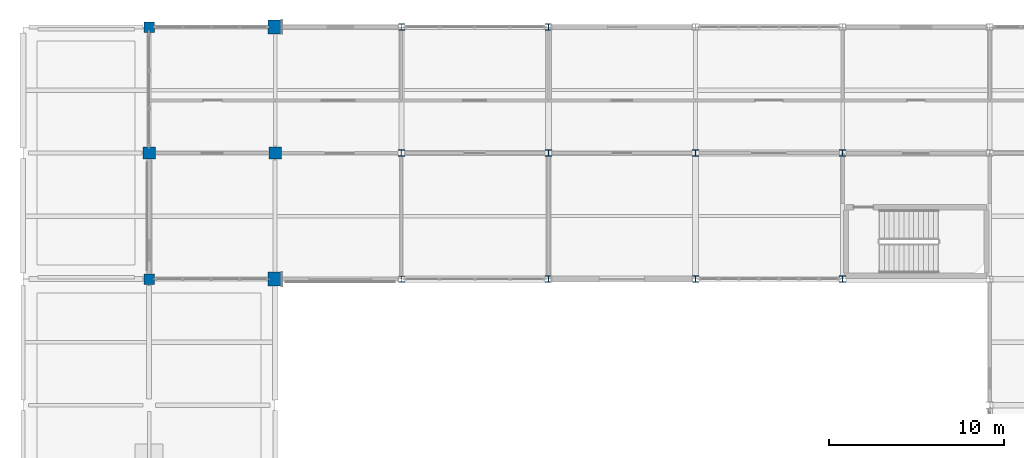
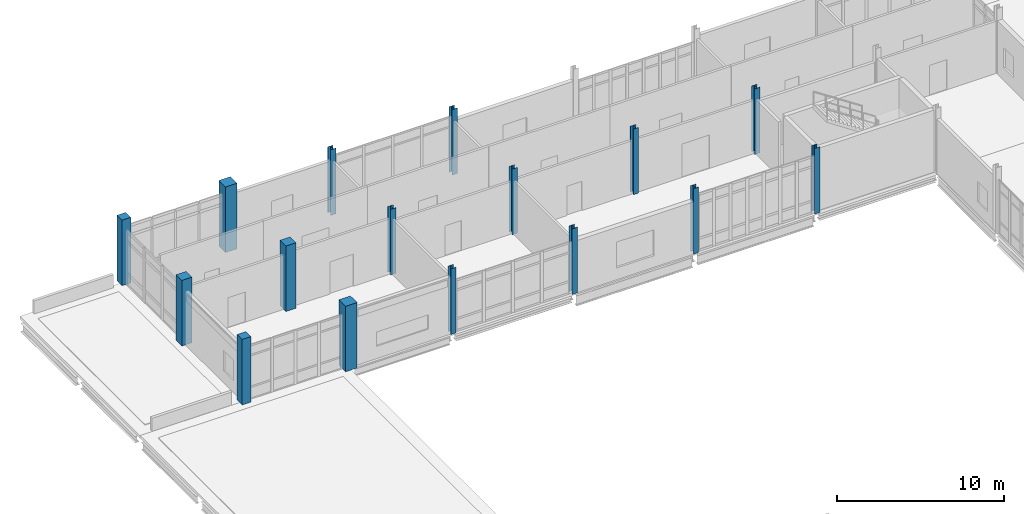
# One storey, part 12 of 186: 16 columns.
"""IFC4 building model written with IfcOpenShell, lengths in metres."""

from ifc_helpers import new_model, si_unit, direction, frame, origin, origin_2d, place, context, subcontext, project, spatial, rectangle, i_section, extrude, material, material_profile, profile_set, type_object, element, save


model = new_model("IFC4")

# Units and contexts
model_context = context("Model", 3, precision=1e-05, world=origin(), true_north=direction((0.0, 1.0)))
body_context = subcontext(model_context, "Body", "Model", "MODEL_VIEW")
ifc_project = project(units=[si_unit("LENGTHUNIT", "METRE"), si_unit("AREAUNIT", "SQUARE_METRE"), si_unit("VOLUMEUNIT", "CUBIC_METRE"), si_unit("PLANEANGLEUNIT", "RADIAN"), si_unit("MASSUNIT", "GRAM", prefix="KILO")], contexts=[model_context])

# Site, building, storey
site_placement = place(None, origin())
site = spatial("IfcSite", under=ifc_project, at=site_placement, CompositionType="ELEMENT")
building_placement = place(site_placement, origin())
building = spatial("IfcBuilding", under=site, at=building_placement, Name="Calvrana Isthmian Art Gallery", CompositionType="ELEMENT")
storey_placement = place(building_placement, frame((0.0, 0.0, 5.39990234375)))
storey = spatial("IfcBuildingStorey", under=building, at=storey_placement, Name="L01", CompositionType="ELEMENT", Elevation=5.39990234375)

# Columns
ifc_material_1 = material(Name="Concrete C40/50", Category="concrete")
ifc_material_profile_1 = material_profile(ifc_material_1, rectangle(XDim=0.60009765625, YDim=0.60009765625, at=origin_2d()), Name="RC600X600")
ifc_profile_set_1 = profile_set([ifc_material_profile_1], Name="Concrete C40/50")
column_type_1 = type_object("IfcColumnType", Name="COL-RC-RC600X600", PredefinedType="COLUMN", material=ifc_profile_set_1)
for number, where, z_axis, x_axis, name in (
    (1, (7.199951171875, 98.39990234375, 0.0), (0.0, 0.0, 1.0), (1.0, 0.0, 0.0), "Column 02/N L01"),
    (2, (7.199951171875, 112.800048828125, 0.0), (0.0, 0.0, 1.0), (1.0, 0.0, 0.0), "Column 02/P L01"),
):
    element("IfcColumn", number, at=place(storey_placement, frame(where, z_axis=z_axis, x_axis=x_axis)), inside=storey, type_object=column_type_1, Name=name, PredefinedType="COLUMN", context=body_context, shape_type="SweptSolid", body=[
        extrude(rectangle(XDim=0.60009765625, YDim=0.60009765625, at=origin_2d()), origin(), (0.0, 0.0, 1.0), 4.800048828125),
    ])
ifc_material_profile_2 = material_profile(ifc_material_1, rectangle(XDim=0.699951171875, YDim=0.699951171875, at=origin_2d()), Name="RC700X700")
ifc_profile_set_2 = profile_set([ifc_material_profile_2], Name="Concrete C40/50")
column_type_2 = type_object("IfcColumnType", Name="COL-RC-RC700X700", PredefinedType="COLUMN", material=ifc_profile_set_2)
for number, where, z_axis, x_axis, name in (
    (3, (7.199951171875, 105.60009765625, 0.0), (0.0, 0.0, 1.0), (1.0, 0.0, 0.0), "Column 02/O L01"),
    (4, (14.39990234375, 105.60009765625, 0.0), (0.0, 0.0, 1.0), (1.0, 0.0, 0.0), "Column 03/O L01"),
):
    element("IfcColumn", number, at=place(storey_placement, frame(where, z_axis=z_axis, x_axis=x_axis)), inside=storey, type_object=column_type_2, Name=name, PredefinedType="COLUMN", context=body_context, shape_type="SweptSolid", body=[
        extrude(rectangle(XDim=0.699951171875, YDim=0.699951171875, at=origin_2d()), origin(), (0.0, 0.0, 1.0), 4.800048828125),
    ])
ifc_material_profile_3 = material_profile(ifc_material_1, rectangle(XDim=0.800048828125, YDim=0.800048828125, at=origin_2d()), Name="RC800X800")
ifc_profile_set_3 = profile_set([ifc_material_profile_3], Name="Concrete C40/50")
column_type_3 = type_object("IfcColumnType", Name="COL-RC-RC800X800", PredefinedType="COLUMN", material=ifc_profile_set_3)
for number, where, z_axis, x_axis, name in (
    (5, (14.39990234375, 98.39990234375, 0.0), (0.0, 0.0, 1.0), (1.0, 0.0, 0.0), "Column 03/N L01"),
    (6, (14.39990234375, 112.800048828125, 0.0), (0.0, 0.0, 1.0), (1.0, 0.0, 0.0), "Column 03/P L01"),
):
    element("IfcColumn", number, at=place(storey_placement, frame(where, z_axis=z_axis, x_axis=x_axis)), inside=storey, type_object=column_type_3, Name=name, PredefinedType="COLUMN", context=body_context, shape_type="SweptSolid", body=[
        extrude(rectangle(XDim=0.800048828125, YDim=0.800048828125, at=origin_2d()), origin(), (0.0, 0.0, 1.0), 4.800048828125),
    ])
ifc_material_2 = material(Name="Steel ASTM A992 Gr 50", Category="steel")
ifc_material_profile_4 = material_profile(ifc_material_2, i_section(OverallWidth=0.37109375, OverallDepth=0.363037109375, WebThickness=0.01318359375, FlangeThickness=0.021728515625, FilletRadius=0.02490234375, at=origin_2d()), Name="W14X109")
ifc_profile_set_4 = profile_set([ifc_material_profile_4], Name="Steel ASTM A992 Gr 50")
column_type_4 = type_object("IfcColumnType", Name="COL-STL-W14X109", PredefinedType="COLUMN", material=ifc_profile_set_4)
for number, where, z_axis, x_axis, name in (
    (7, (21.60009765625, 105.60009765625, 0.0), (0.0, 0.0, 1.0), (1.0, 0.0, 0.0), "Column 04/O L01"),
    (8, (30.0, 112.800048828125, 0.0), (0.0, 0.0, 1.0), (1.0, 0.0, 0.0), "Column 05/P L01"),
    (9, (46.800048828125, 98.39990234375, 0.0), (0.0, 0.0, 1.0), (1.0, 0.0, 0.0), "Column 07/N L01"),
):
    element("IfcColumn", number, at=place(storey_placement, frame(where, z_axis=z_axis, x_axis=x_axis)), inside=storey, type_object=column_type_4, Name=name, PredefinedType="COLUMN", context=body_context, shape_type="SweptSolid", body=[
        extrude(i_section(OverallWidth=0.37109375, OverallDepth=0.363037109375, WebThickness=0.01318359375, FlangeThickness=0.021728515625, FilletRadius=0.02490234375, at=origin_2d()), origin(), (0.0, 0.0, 1.0), 4.800048828125),
    ])
ifc_material_profile_5 = material_profile(ifc_material_2, i_section(OverallWidth=0.373046875, OverallDepth=0.367919921875, WebThickness=0.014892578125, FlangeThickness=0.02392578125, FilletRadius=0.02490234375, at=origin_2d()), Name="W14X120")
ifc_profile_set_5 = profile_set([ifc_material_profile_5], Name="Steel ASTM A992 Gr 50")
column_type_5 = type_object("IfcColumnType", Name="COL-STL-W14X120", PredefinedType="COLUMN", material=ifc_profile_set_5)
for number, where, z_axis, x_axis, name in (
    (10, (21.60009765625, 112.800048828125, 0.0), (0.0, 0.0, 1.0), (1.0, 0.0, 0.0), "Column 04/P L01"),
    (11, (38.39990234375, 98.39990234375, 0.0), (0.0, 0.0, 1.0), (1.0, 0.0, 0.0), "Column 06/N L01"),
    (12, (46.800048828125, 105.60009765625, 0.0), (0.0, 0.0, 1.0), (1.0, 0.0, 0.0), "Column 07/O L01"),
):
    element("IfcColumn", number, at=place(storey_placement, frame(where, z_axis=z_axis, x_axis=x_axis)), inside=storey, type_object=column_type_5, Name=name, PredefinedType="COLUMN", context=body_context, shape_type="SweptSolid", body=[
        extrude(i_section(OverallWidth=0.373046875, OverallDepth=0.367919921875, WebThickness=0.014892578125, FlangeThickness=0.02392578125, FilletRadius=0.02490234375, at=origin_2d()), origin(), (0.0, 0.0, 1.0), 4.800048828125),
    ])
ifc_material_profile_6 = material_profile(ifc_material_2, i_section(OverallWidth=0.373046875, OverallDepth=0.373046875, WebThickness=0.016357421875, FlangeThickness=0.026123046875, FilletRadius=0.02490234375, at=origin_2d()), Name="W14X132")
ifc_profile_set_6 = profile_set([ifc_material_profile_6], Name="Steel ASTM A992 Gr 50")
column_type_6 = type_object("IfcColumnType", Name="COL-STL-W14X132", PredefinedType="COLUMN", material=ifc_profile_set_6)
for number, where, z_axis, x_axis, name in (
    (13, (30.0, 98.39990234375, 0.0), (0.0, 0.0, 1.0), (1.0, 0.0, 0.0), "Column 05/N L01"),
    (14, (38.39990234375, 105.60009765625, 0.0), (0.0, 0.0, 1.0), (1.0, 0.0, 0.0), "Column 06/O L01"),
):
    element("IfcColumn", number, at=place(storey_placement, frame(where, z_axis=z_axis, x_axis=x_axis)), inside=storey, type_object=column_type_6, Name=name, PredefinedType="COLUMN", context=body_context, shape_type="SweptSolid", body=[
        extrude(i_section(OverallWidth=0.373046875, OverallDepth=0.373046875, WebThickness=0.016357421875, FlangeThickness=0.026123046875, FilletRadius=0.02490234375, at=origin_2d()), origin(), (0.0, 0.0, 1.0), 4.800048828125),
    ])
ifc_material_profile_7 = material_profile(ifc_material_2, i_section(OverallWidth=0.367919921875, OverallDepth=0.35595703125, WebThickness=0.01123046875, FlangeThickness=0.01806640625, FilletRadius=0.02490234375, at=origin_2d()), Name="W14X90")
ifc_profile_set_7 = profile_set([ifc_material_profile_7], Name="Steel ASTM A992 Gr 50")
column_type_7 = type_object("IfcColumnType", Name="COL-STL-W14X90", PredefinedType="COLUMN", material=ifc_profile_set_7)
for number, where, z_axis, x_axis, name in (
    (15, (21.60009765625, 98.39990234375, 0.0), (0.0, 0.0, 1.0), (1.0, 0.0, 0.0), "Column 04/N L01"),
    (16, (30.0, 105.60009765625, 0.0), (0.0, 0.0, 1.0), (1.0, 0.0, 0.0), "Column 05/O L01"),
):
    element("IfcColumn", number, at=place(storey_placement, frame(where, z_axis=z_axis, x_axis=x_axis)), inside=storey, type_object=column_type_7, Name=name, PredefinedType="COLUMN", context=body_context, shape_type="SweptSolid", body=[
        extrude(i_section(OverallWidth=0.367919921875, OverallDepth=0.35595703125, WebThickness=0.01123046875, FlangeThickness=0.01806640625, FilletRadius=0.02490234375, at=origin_2d()), origin(), (0.0, 0.0, 1.0), 4.800048828125),
    ])

save(model, "model.ifc")
